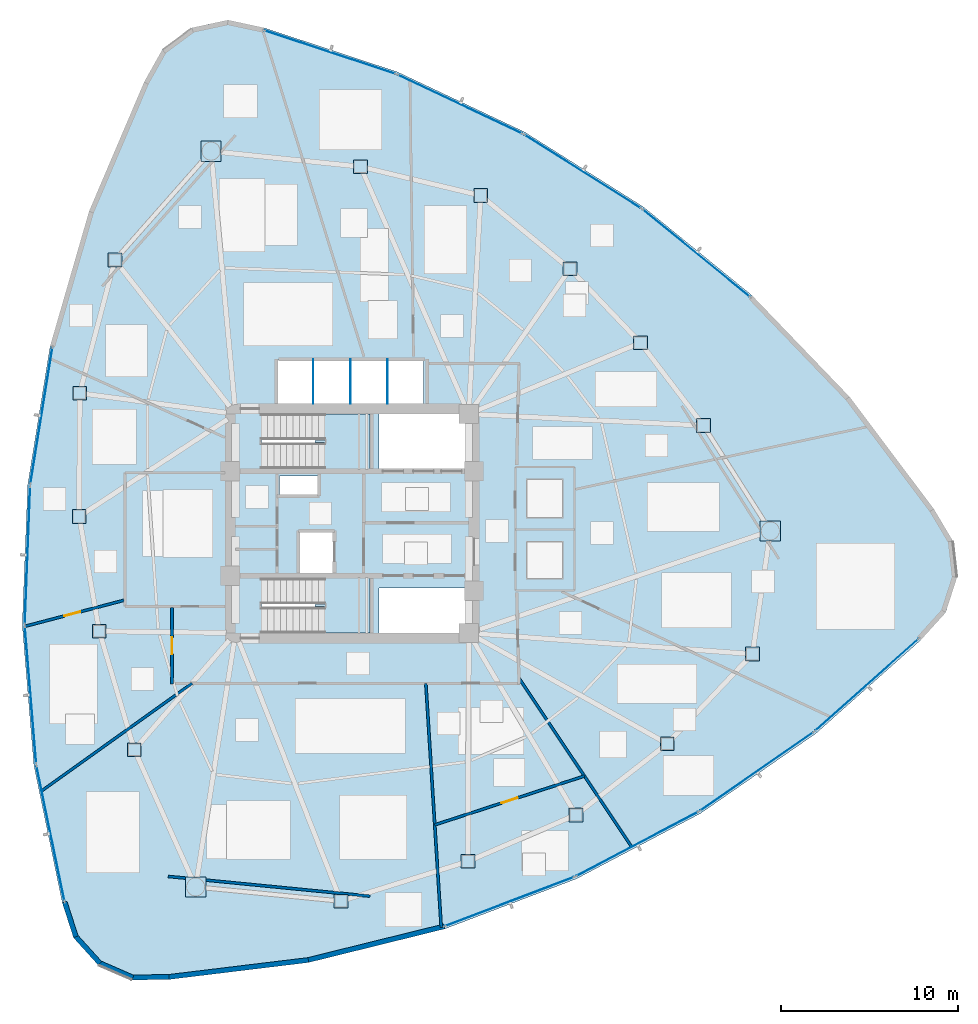
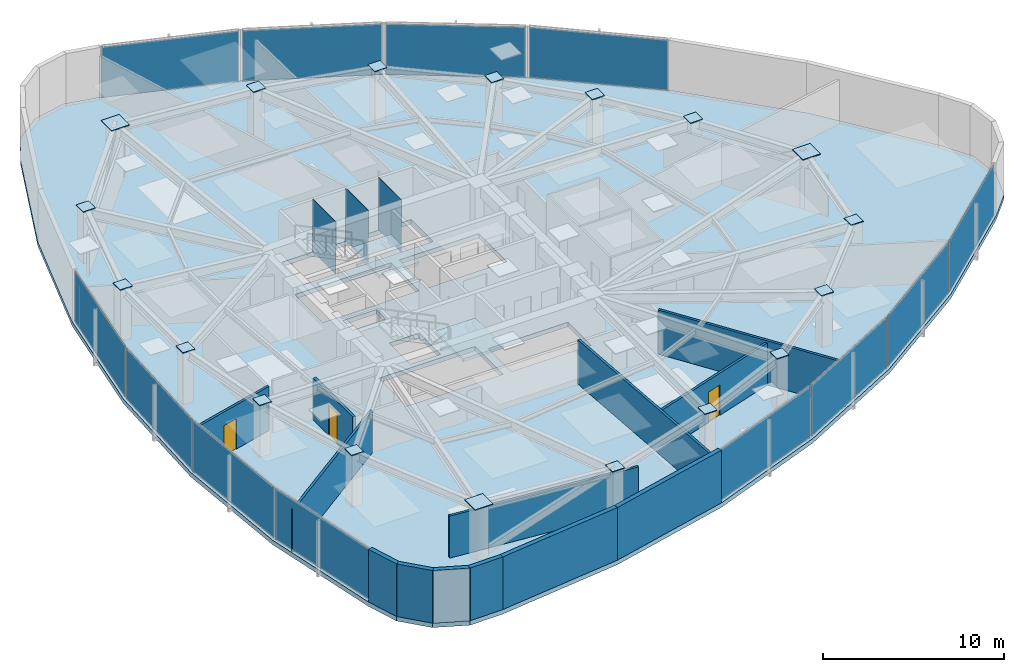
# One storey, part 10 of 17: 33 plates, 13 walls, 3 doors, 3 slabs, 3 openings, 14 elements without a shape of their own.
"""IFC4 building model written with IfcOpenShell, lengths in metres."""

from ifc_helpers import new_model, si_unit, direction, frame, frame_2d, origin, origin_2d, place, context, subcontext, project, spatial, polyline, rectangle, outline, extrude, source, transform, mapped, material, layer, layer_set, type_object, type_shapes, element, fill, aggregate, save


model = new_model("IFC4")

# Units and contexts
model_context = context("Model", 3, precision=1e-05, world=origin(), true_north=direction((0.0, 1.0)))
body_context = subcontext(model_context, "Body", "Model", "MODEL_VIEW")
ifc_project = project(units=[si_unit("LENGTHUNIT", "METRE"), si_unit("AREAUNIT", "SQUARE_METRE"), si_unit("VOLUMEUNIT", "CUBIC_METRE"), si_unit("PLANEANGLEUNIT", "RADIAN"), si_unit("MASSUNIT", "GRAM", prefix="KILO")], contexts=[model_context])

# Site, building, storey
site_placement = place(None, origin())
site = spatial("IfcSite", under=ifc_project, at=site_placement, CompositionType="ELEMENT")
building_placement = place(site_placement, origin())
building = spatial("IfcBuilding", under=site, at=building_placement, Name="Tavelor Broadcast Tower", CompositionType="ELEMENT")
storey_placement = place(building_placement, frame((0.0, 0.0, 134.85009765625)))
storey = spatial("IfcBuildingStorey", under=building, at=storey_placement, Name="L31", CompositionType="ELEMENT", Elevation=134.85009765625)

# Stair, slab
ifc_material_1 = material(Name="Concrete C40/50", Category="concrete")
stair_type = type_object("IfcStairType", Name="Reinforced Concrete Protected Dogleg Stair 1450 mm", PredefinedType="HALF_TURN_STAIR", material=ifc_material_1)
stair_1_placement = place(storey_placement, origin())
stair_1 = element("IfcStair", 1, at=stair_1_placement, inside=storey, type_object=stair_type, Name="L31 Protected Core Exit Stair ST1", PredefinedType="HALF_TURN_STAIR")
ifc_layer_1 = layer(ifc_material_1, 0.199951171875)
ifc_layer_set_1 = layer_set([ifc_layer_1], Name="Concrete C40/50")
slab_type_1 = type_object("IfcSlabType", Name="Reinforced Concrete Stair Half-Landing Slab 200 mm", PredefinedType="LANDING", material=ifc_layer_set_1)
slab_1_placement = place(storey_placement, frame((0.0, 0.0, 1.724853515625)))
slab_1 = element("IfcSlab", 2, at=slab_1_placement, type_object=slab_type_1, Name="ST1 landing 1", PredefinedType="LANDING", context=body_context, shape_type="SweptSolid", body=[
    extrude(outline(polyline([(48.445068359375, 49.590087890625), (48.445068359375, 48.094970703125), (51.0048828125, 48.094970703125), (51.0048828125, 51.205078125), (48.445068359375, 51.205078125), (48.445068359375, 49.7099609375), (47.905029296875, 49.7099609375), (47.905029296875, 49.590087890625), (48.445068359375, 49.590087890625)])), origin(), (0.0, 0.0, 1.0), 0.199951171875),
])
aggregate(stair_1, [slab_1])

stair_2_placement = place(storey_placement, origin())
stair_2 = element("IfcStair", 3, at=stair_2_placement, inside=storey, type_object=stair_type, Name="L31 Protected Core Exit Stair ST2", PredefinedType="HALF_TURN_STAIR")
slab_2_placement = place(storey_placement, frame((0.0, 0.0, 1.724853515625)))
slab_2 = element("IfcSlab", 4, at=slab_2_placement, type_object=slab_type_1, Name="ST2 landing 1", PredefinedType="LANDING", context=body_context, shape_type="SweptSolid", body=[
    extrude(outline(polyline([(48.445068359375, 40.2900390625), (48.445068359375, 38.794921875), (51.0048828125, 38.794921875), (51.0048828125, 41.905029296875), (48.445068359375, 41.905029296875), (48.445068359375, 40.409912109375), (47.905029296875, 40.409912109375), (47.905029296875, 40.2900390625), (48.445068359375, 40.2900390625)])), origin(), (0.0, 0.0, 1.0), 0.199951171875),
])
aggregate(stair_2, [slab_2])

# Slab
ifc_layer_2 = layer(ifc_material_1, 0.300048828125)
ifc_layer_set_2 = layer_set([ifc_layer_2], Name="Concrete C40/50")
slab_type_2 = type_object("IfcSlabType", Name="Tower Composite Floor Slab 300 mm", PredefinedType="FLOOR", material=ifc_layer_set_2)
slab_3_placement = place(storey_placement, frame((0.0, 0.0, -0.300048828125)))
element("IfcSlab", 5, at=slab_3_placement, inside=storey, type_object=slab_type_2, Name="L31 Structural Floor Slab", PredefinedType="FLOOR", context=body_context, shape_type="SweptSolid", body=[
    extrude(outline(polyline([(45.01318359375, 73.065673828125), (42.970458984375, 73.50537109375), (40.927978515625, 73.065673828125), (39.2470703125, 71.82421875), (38.226318359375, 70.001220703125), (35.10888671875, 62.684326171875), (32.89990234375, 55.044189453125), (31.631591796875, 47.192626953125), (31.322998046875, 39.24560546875), (31.978271484375, 31.3193359375), (33.587890625, 23.53076171875), (34.228271484375, 21.5419921875), (35.630615234375, 19.992919921875), (37.5458984375, 19.157958984375), (39.63525390625, 19.185302734375), (47.530517578125, 20.14404296875), (55.251708984375, 22.051025390625), (62.685302734375, 24.87841796875), (69.721923828125, 28.584716796875), (76.258544921875, 33.115234375), (82.198974609375, 38.403564453125), (83.601318359375, 39.95263671875), (84.24169921875, 41.941650390625), (84.0068359375, 44.017822265625), (82.938720703125, 45.8134765625), (78.16064453125, 52.171630859375), (72.6484375, 57.90478515625), (66.483154296875, 62.9287109375), (59.7548828125, 67.169677734375), (52.56298828125, 70.565185546875), (45.01318359375, 73.065673828125)]), holes=[polyline([(56.60009765625, 41.35009765625), (56.60009765625, 38.800048828125), (51.52001953125, 38.800048828125), (51.52001953125, 41.35009765625), (56.60009765625, 41.35009765625)]), polyline([(50.99609375, 38.803955078125), (44.85400390625, 38.803955078125), (44.85400390625, 41.89599609375), (50.99609375, 41.89599609375), (50.99609375, 38.803955078125)]), polyline([(47.050048828125, 42.199951171875), (47.050048828125, 44.550048828125), (48.949951171875, 44.550048828125), (48.949951171875, 42.199951171875), (47.050048828125, 42.199951171875)]), polyline([(48.050048828125, 46.64990234375), (45.89990234375, 46.64990234375), (45.89990234375, 47.699951171875), (48.050048828125, 47.699951171875), (48.050048828125, 46.64990234375)]), polyline([(50.99609375, 48.10400390625), (44.85400390625, 48.10400390625), (44.85400390625, 51.196044921875), (50.99609375, 51.196044921875), (50.99609375, 48.10400390625)]), polyline([(56.60009765625, 48.10009765625), (51.52001953125, 48.10009765625), (51.52001953125, 51.199951171875), (56.60009765625, 51.199951171875), (56.60009765625, 48.10009765625)]), polyline([(54.050048828125, 51.800048828125), (45.800048828125, 51.800048828125), (45.800048828125, 54.25), (54.050048828125, 54.25), (54.050048828125, 51.800048828125)])]), origin(), (0.0, 0.0, 1.0), 0.300048828125),
])

# Plates
ifc_material_2 = material(Name="Steel S460", Category="steel")
ifc_layer_3 = layer(ifc_material_2, 0.050048828125)
ifc_layer_set_3 = layer_set([ifc_layer_3], Name="Steel S460")
plate_type_1 = type_object("IfcPlateType", Name="Tube Hollow-End Cap Plate KN05 700x700x50", PredefinedType="USERDEFINED", material=ifc_layer_set_3)
shared_shape_1 = source(origin(), body_context, "Body", "SweptSolid", [
    extrude(rectangle(XDim=1.14697265625, YDim=1.14697265625, at=origin_2d()), origin(), (0.0, 0.0, 1.0), 0.054931640625),
])
for number, where, z_axis, x_axis, name in (
    (6, (42.01123046875, 66.080078125, 3.5224609375), (0.0, 0.0, 1.0), (1.0, 0.0, 0.0), "L31 Hollow End Cap Plate KN05 #891"),
    (7, (41.138671875, 24.423828125, 3.5224609375), (0.0, 0.0, 1.0), (1.0, 0.0, 0.0), "L31 Hollow End Cap Plate KN05 #897"),
    (8, (73.676025390625, 44.57958984375, 3.5224609375), (0.0, 0.0, 1.0), (1.0, 0.0, 0.0), "L31 Hollow End Cap Plate KN05 #903"),
):
    element("IfcPlate", number, at=place(storey_placement, frame(where, z_axis=z_axis, x_axis=x_axis)), inside=storey, type_object=plate_type_1, Name=name, ObjectType="CAP PLATE", PredefinedType="USERDEFINED", context=body_context, shape_type="MappedRepresentation", body=[
        mapped(shared_shape_1, transform((0.0, 0.0, 0.0), scale=1.0)),
    ])
shared_shape_2 = source(origin(), body_context, "Body", "SweptSolid", [
    extrude(rectangle(XDim=0.780029296875, YDim=0.780029296875, at=origin_2d()), origin(), (0.0, 0.0, 1.0), 0.054931640625),
])
type_shapes(plate_type_1, [shared_shape_1, shared_shape_2])
for number, where, z_axis, x_axis, name in (
    (9, (36.567626953125, 59.91064453125, 3.5224609375), (0.0, 0.0, 1.0), (1.0, 0.0, 0.0), "L31 Hollow End Cap Plate KN05 #892"),
    (10, (34.5751953125, 52.37939453125, 3.5224609375), (0.0, 0.0, 1.0), (1.0, 0.0, 0.0), "L31 Hollow End Cap Plate KN05 #893"),
    (11, (34.54638671875, 45.399169921875, 3.5224609375), (0.0, 0.0, 1.0), (1.0, 0.0, 0.0), "L31 Hollow End Cap Plate KN05 #894"),
    (12, (35.680908203125, 38.89990234375, 3.5224609375), (0.0, 0.0, 1.0), (1.0, 0.0, 0.0), "L31 Hollow End Cap Plate KN05 #895"),
    (13, (37.668212890625, 32.1904296875, 3.5224609375), (0.0, 0.0, 1.0), (1.0, 0.0, 0.0), "L31 Hollow End Cap Plate KN05 #896"),
    (14, (49.366455078125, 23.618896484375, 3.5224609375), (0.0, 0.0, 1.0), (1.0, 0.0, 0.0), "L31 Hollow End Cap Plate KN05 #898"),
    (15, (56.56103515625, 25.872802734375, 3.5224609375), (0.0, 0.0, 1.0), (1.0, 0.0, 0.0), "L31 Hollow End Cap Plate KN05 #899"),
    (16, (62.669189453125, 28.503173828125, 3.5224609375), (0.0, 0.0, 1.0), (1.0, 0.0, 0.0), "L31 Hollow End Cap Plate KN05 #900"),
    (17, (67.84228515625, 32.53173828125, 3.5224609375), (0.0, 0.0, 1.0), (1.0, 0.0, 0.0), "L31 Hollow End Cap Plate KN05 #901"),
    (18, (72.6591796875, 37.607421875, 3.5224609375), (0.0, 0.0, 1.0), (1.0, 0.0, 0.0), "L31 Hollow End Cap Plate KN05 #902"),
    (19, (69.885986328125, 50.544189453125, 3.5224609375), (0.0, 0.0, 1.0), (1.0, 0.0, 0.0), "L31 Hollow End Cap Plate KN05 #904"),
    (20, (66.322021484375, 55.228759765625, 3.5224609375), (0.0, 0.0, 1.0), (1.0, 0.0, 0.0), "L31 Hollow End Cap Plate KN05 #905"),
    (21, (62.330810546875, 59.416259765625, 3.5224609375), (0.0, 0.0, 1.0), (1.0, 0.0, 0.0), "L31 Hollow End Cap Plate KN05 #906"),
    (22, (57.276611328125, 63.568359375, 3.5224609375), (0.0, 0.0, 1.0), (1.0, 0.0, 0.0), "L31 Hollow End Cap Plate KN05 #907"),
    (23, (50.472412109375, 65.2021484375, 3.5224609375), (0.0, 0.0, 1.0), (1.0, 0.0, 0.0), "L31 Hollow End Cap Plate KN05 #908"),
):
    element("IfcPlate", number, at=place(storey_placement, frame(where, z_axis=z_axis, x_axis=x_axis)), inside=storey, type_object=plate_type_1, Name=name, ObjectType="CAP PLATE", PredefinedType="USERDEFINED", context=body_context, shape_type="MappedRepresentation", body=[
        mapped(shared_shape_2, transform((0.0, 0.0, 0.0), scale=1.0)),
    ])
ifc_material_3 = material(Name="Steel S355", Category="steel")
ifc_layer_4 = layer(ifc_material_3, 0.011962890625)
ifc_layer_set_4 = layer_set([ifc_layer_4], Name="Steel S355")
plate_type_2 = type_object("IfcPlateType", Name="Hoistway Steel Separator Screen 12 mm", PredefinedType="SHEET", material=ifc_layer_set_4)
shared_shape_3 = source(origin(), body_context, "Body", "SweptSolid", [
    extrude(rectangle(XDim=0.02001953125, YDim=2.52001953125, at=origin_2d()), origin(), (0.0, 0.0, 1.0), 3.550048828125),
])
type_shapes(plate_type_2, [shared_shape_3])
for number, where, z_axis, x_axis, name in (
    (24, (47.800048828125, 53.0400390625, 0.0), (0.0, 0.0, 1.0), (1.0, 0.0, 0.0), "L31 High-Rise Hoistway Separator Screen 1"),
    (25, (49.89990234375, 53.0400390625, 0.0), (0.0, 0.0, 1.0), (1.0, 0.0, 0.0), "L31 High-Rise Hoistway Separator Screen 2"),
    (26, (52.0, 53.0400390625, 0.0), (0.0, 0.0, 1.0), (1.0, 0.0, 0.0), "L31 High-Rise Hoistway Separator Screen 3"),
):
    element("IfcPlate", number, at=place(storey_placement, frame(where, z_axis=z_axis, x_axis=x_axis)), inside=storey, type_object=plate_type_2, Name=name, PredefinedType="SHEET", context=body_context, shape_type="MappedRepresentation", body=[
        mapped(shared_shape_3, transform((0.0, 0.0, 0.0), scale=1.0)),
    ])

# Curtain wall, plate
ifc_material_4 = material(Name="Architectural Anodized Aluminium", Category="aluminium")
ifc_layer_5 = layer(ifc_material_4, 0.18994140625)
ifc_layer_set_5 = layer_set([ifc_layer_5], Name="Architectural Anodized Aluminium")
curtain_wall_type = type_object("IfcCurtainWallType", Name="Tower Mid-Zone Acoustic Curtain Wall CW03", PredefinedType="NOTDEFINED", material=ifc_layer_set_5)
curtain_wall_1_placement = place(storey_placement, origin())
curtain_wall_1 = element("IfcCurtainWall", 27, at=curtain_wall_1_placement, inside=storey, type_object=curtain_wall_type, Name="L31 Curtain Wall CW03 Run 313", PredefinedType="NOTDEFINED")
ifc_material_5 = material(Name="Solar Control Double Glazing 30 mm", Category="glass")
ifc_layer_6 = layer(ifc_material_5, 0.030029296875)
ifc_layer_set_6 = layer_set([ifc_layer_6], Name="Solar Control Double Glazing 30 mm")
plate_type_3 = type_object("IfcPlateType", Name="CW03 Insulated Vision Glazing Panel 30 mm", PredefinedType="CURTAIN_PANEL", material=ifc_layer_set_6)
shared_shape_4 = source(origin(), body_context, "Body", "SweptSolid", [
    extrude(rectangle(XDim=7.78515625, YDim=0.030029296875, at=origin_2d()), origin(), (0.0, 0.0, 1.0), 3.4140625),
])
plate_1_placement = place(storey_placement, frame((32.4052734375, 51.103515625, 0.06787109375), z_axis=(0.0, 0.0, 1.0), x_axis=(-0.159459072455, -0.98720454021, 0.0)))
plate_1 = element("IfcPlate", 28, at=plate_1_placement, type_object=plate_type_3, Name="CW03 panel 1.1", PredefinedType="CURTAIN_PANEL", context=body_context, shape_type="MappedRepresentation", body=[
    mapped(shared_shape_4, transform((0.0, 0.0, 0.0), scale=1.0)),
])
aggregate(curtain_wall_1, [plate_1])

curtain_wall_2_placement = place(storey_placement, origin())
curtain_wall_2 = element("IfcCurtainWall", 29, at=curtain_wall_2_placement, inside=storey, type_object=curtain_wall_type, Name="L31 Curtain Wall CW03 Run 317", PredefinedType="NOTDEFINED")
plate_2_placement = place(storey_placement, frame((58.91162109375, 23.593017578125, 0.06787109375), z_axis=(0.0, 0.0, 1.0), x_axis=(0.934674797262, 0.355503900631, 0.0)))
plate_2 = element("IfcPlate", 30, at=plate_2_placement, type_object=plate_type_3, Name="CW03 panel 1.1", PredefinedType="CURTAIN_PANEL", context=body_context, shape_type="MappedRepresentation", body=[
    mapped(shared_shape_4, transform((0.0, 0.0, 0.0), scale=1.0)),
])
aggregate(curtain_wall_2, [plate_2])

curtain_wall_3_placement = place(storey_placement, origin())
curtain_wall_3 = element("IfcCurtainWall", 31, at=curtain_wall_3_placement, inside=storey, type_object=curtain_wall_type, Name="L31 Curtain Wall CW03 Run 321", PredefinedType="NOTDEFINED")
plate_3_placement = place(storey_placement, frame((69.483154296875, 60.303466796875, 0.06787109375), z_axis=(0.0, 0.0, 1.0), x_axis=(-0.775213462191, 0.631699365235, 0.0)))
plate_3 = element("IfcPlate", 32, at=plate_3_placement, type_object=plate_type_3, Name="CW03 panel 1.1", PredefinedType="CURTAIN_PANEL", context=body_context, shape_type="MappedRepresentation", body=[
    mapped(shared_shape_4, transform((0.0, 0.0, 0.0), scale=1.0)),
])
aggregate(curtain_wall_3, [plate_3])

curtain_wall_4_placement = place(storey_placement, origin())
curtain_wall_4 = element("IfcCurtainWall", 33, at=curtain_wall_4_placement, inside=storey, type_object=curtain_wall_type, Name="L31 Curtain Wall CW03 Run 314", PredefinedType="NOTDEFINED")
shared_shape_5 = source(origin(), body_context, "Body", "SweptSolid", [
    extrude(rectangle(XDim=7.770263671875, YDim=0.030029296875, at=origin_2d()), origin(), (0.0, 0.0, 1.0), 3.4140625),
])
plate_4_placement = place(storey_placement, frame((31.6171875, 43.213623046875, 0.06787109375), z_axis=(0.0, 0.0, 1.0), x_axis=(-0.038817348253, -0.999246322723, 0.0)))
plate_4 = element("IfcPlate", 34, at=plate_4_placement, type_object=plate_type_3, Name="CW03 panel 1.1", PredefinedType="CURTAIN_PANEL", context=body_context, shape_type="MappedRepresentation", body=[
    mapped(shared_shape_5, transform((0.0, 0.0, 0.0), scale=1.0)),
])
aggregate(curtain_wall_4, [plate_4])

curtain_wall_5_placement = place(storey_placement, origin())
curtain_wall_5 = element("IfcCurtainWall", 35, at=curtain_wall_5_placement, inside=storey, type_object=curtain_wall_type, Name="L31 Curtain Wall CW03 Run 318", PredefinedType="NOTDEFINED")
plate_5_placement = place(storey_placement, frame((66.138427734375, 26.85546875, 0.06787109375), z_axis=(0.0, 0.0, 1.0), x_axis=(0.884776607901, 0.466015401152, 0.0)))
plate_5 = element("IfcPlate", 36, at=plate_5_placement, type_object=plate_type_3, Name="CW03 panel 1.1", PredefinedType="CURTAIN_PANEL", context=body_context, shape_type="MappedRepresentation", body=[
    mapped(shared_shape_5, transform((0.0, 0.0, 0.0), scale=1.0)),
])
aggregate(curtain_wall_5, [plate_5])

curtain_wall_6_placement = place(storey_placement, origin())
curtain_wall_6 = element("IfcCurtainWall", 37, at=curtain_wall_6_placement, inside=storey, type_object=curtain_wall_type, Name="L31 Curtain Wall CW03 Run 322", PredefinedType="NOTDEFINED")
plate_6_placement = place(storey_placement, frame((63.04443359375, 64.9306640625, 0.06787109375), z_axis=(0.0, 0.0, 1.0), x_axis=(-0.845965542519, 0.533237565135, 0.0)))
plate_6 = element("IfcPlate", 38, at=plate_6_placement, type_object=plate_type_3, Name="CW03 panel 1.1", PredefinedType="CURTAIN_PANEL", context=body_context, shape_type="MappedRepresentation", body=[
    mapped(shared_shape_5, transform((0.0, 0.0, 0.0), scale=1.0)),
])
aggregate(curtain_wall_6, [plate_6])

curtain_wall_7_placement = place(storey_placement, origin())
curtain_wall_7 = element("IfcCurtainWall", 39, at=curtain_wall_7_placement, inside=storey, type_object=curtain_wall_type, Name="L31 Curtain Wall CW03 Run 323", PredefinedType="NOTDEFINED")
plate_7_placement = place(storey_placement, frame((56.099365234375, 68.740966796875, 0.06787109375), z_axis=(0.0, 0.0, 1.0), x_axis=(-0.904273335243, 0.426954019971, 0.0)))
plate_7 = element("IfcPlate", 40, at=plate_7_placement, type_object=plate_type_3, Name="CW03 panel 1.1", PredefinedType="CURTAIN_PANEL", context=body_context, shape_type="MappedRepresentation", body=[
    mapped(shared_shape_5, transform((0.0, 0.0, 0.0), scale=1.0)),
])
aggregate(curtain_wall_7, [plate_7])

curtain_wall_8_placement = place(storey_placement, origin())
curtain_wall_8 = element("IfcCurtainWall", 41, at=curtain_wall_8_placement, inside=storey, type_object=curtain_wall_type, Name="L31 Curtain Wall CW03 Run 315", PredefinedType="NOTDEFINED")
shared_shape_6 = source(origin(), body_context, "Body", "SweptSolid", [
    extrude(rectangle(XDim=7.77001953125, YDim=0.030029296875, at=origin_2d()), origin(), (0.0, 0.0, 1.0), 3.4140625),
])
plate_8_placement = place(storey_placement, frame((31.7900390625, 35.2939453125, 0.06787109375), z_axis=(0.0, 0.0, 1.0), x_axis=(0.082379713791, -0.996601014828, 0.0)))
plate_8 = element("IfcPlate", 42, at=plate_8_placement, type_object=plate_type_3, Name="CW03 panel 1.1", PredefinedType="CURTAIN_PANEL", context=body_context, shape_type="MappedRepresentation", body=[
    mapped(shared_shape_6, transform((0.0, 0.0, 0.0), scale=1.0)),
])
aggregate(curtain_wall_8, [plate_8])

curtain_wall_9_placement = place(storey_placement, origin())
curtain_wall_9 = element("IfcCurtainWall", 43, at=curtain_wall_9_placement, inside=storey, type_object=curtain_wall_type, Name="L31 Curtain Wall CW03 Run 319", PredefinedType="NOTDEFINED")
plate_9_placement = place(storey_placement, frame((72.91064453125, 30.965087890625, 0.06787109375), z_axis=(0.0, 0.0, 1.0), x_axis=(0.821886991689, 0.56965057087, 0.0)))
plate_9 = element("IfcPlate", 44, at=plate_9_placement, type_object=plate_type_3, Name="CW03 panel 1.1", PredefinedType="CURTAIN_PANEL", context=body_context, shape_type="MappedRepresentation", body=[
    mapped(shared_shape_6, transform((0.0, 0.0, 0.0), scale=1.0)),
])
aggregate(curtain_wall_9, [plate_9])

curtain_wall_10_placement = place(storey_placement, origin())
curtain_wall_10 = element("IfcCurtainWall", 45, at=curtain_wall_10_placement, inside=storey, type_object=curtain_wall_type, Name="L31 Curtain Wall CW03 Run 316", PredefinedType="NOTDEFINED")
shared_shape_7 = source(origin(), body_context, "Body", "SweptSolid", [
    extrude(rectangle(XDim=7.7861328125, YDim=0.030029296875, at=origin_2d()), origin(), (0.0, 0.0, 1.0), 3.4140625),
])
type_shapes(plate_type_3, [shared_shape_4, shared_shape_5, shared_shape_6, shared_shape_7])
plate_10_placement = place(storey_placement, frame((32.921630859375, 27.445556640625, 0.06787109375), z_axis=(0.0, 0.0, 1.0), x_axis=(0.202382287884, -0.979306596297, 0.0)))
plate_10 = element("IfcPlate", 46, at=plate_10_placement, type_object=plate_type_3, Name="CW03 panel 1.1", PredefinedType="CURTAIN_PANEL", context=body_context, shape_type="MappedRepresentation", body=[
    mapped(shared_shape_7, transform((0.0, 0.0, 0.0), scale=1.0)),
])
aggregate(curtain_wall_10, [plate_10])

curtain_wall_11_placement = place(storey_placement, origin())
curtain_wall_11 = element("IfcCurtainWall", 47, at=curtain_wall_11_placement, inside=storey, type_object=curtain_wall_type, Name="L31 Curtain Wall CW03 Run 320", PredefinedType="NOTDEFINED")
plate_11_placement = place(storey_placement, frame((79.1416015625, 35.869140625, 0.06787109375), z_axis=(0.0, 0.0, 1.0), x_axis=(0.746922309327, 0.664911320275, 0.0)))
plate_11 = element("IfcPlate", 48, at=plate_11_placement, type_object=plate_type_3, Name="CW03 panel 1.1", PredefinedType="CURTAIN_PANEL", context=body_context, shape_type="MappedRepresentation", body=[
    mapped(shared_shape_7, transform((0.0, 0.0, 0.0), scale=1.0)),
])
aggregate(curtain_wall_11, [plate_11])

curtain_wall_12_placement = place(storey_placement, origin())
curtain_wall_12 = element("IfcCurtainWall", 49, at=curtain_wall_12_placement, inside=storey, type_object=curtain_wall_type, Name="L31 Curtain Wall CW03 Run 324", PredefinedType="NOTDEFINED")
plate_12_placement = place(storey_placement, frame((48.736572265625, 71.68505859375, 0.06787109375), z_axis=(0.0, 0.0, 1.0), x_axis=(-0.949294987363, 0.314386747444, 0.0)))
plate_12 = element("IfcPlate", 50, at=plate_12_placement, type_object=plate_type_3, Name="CW03 panel 1.1", PredefinedType="CURTAIN_PANEL", context=body_context, shape_type="MappedRepresentation", body=[
    mapped(shared_shape_7, transform((0.0, 0.0, 0.0), scale=1.0)),
])
aggregate(curtain_wall_12, [plate_12])

# Wall, opening, door
ifc_material_6 = material(Name="Calcium Silicate Fire Board 180 mm", Category="gypsum")
ifc_layer_7 = layer(ifc_material_6, 0.179931640625)
ifc_layer_set_7 = layer_set([ifc_layer_7], Name="Calcium Silicate Fire Board 180 mm")
wall_type_1 = type_object("IfcWallType", Name="Fire-Rated Corridor Partition Wall 180 mm", PredefinedType="PARTITIONING", material=ifc_layer_set_7)
wall_1_placement = place(storey_placement, frame((39.800048828125, 35.89990234375, 0.0), z_axis=(0.0, 0.0, 1.0), x_axis=(0.0, 1.0, 0.0)))
wall_1 = element("IfcWall", 51, at=wall_1_placement, inside=storey, type_object=wall_type_1, Name="L31 Corridor Compartment Wall 05", PredefinedType="PARTITIONING", context=body_context, shape_type="SweptSolid", body=[
    extrude(rectangle(XDim=4.35009765625, YDim=0.179931640625, at=frame_2d((2.175048828125, 0.0))), origin(), (0.0, 0.0, 1.0), 2.8349609375),
])
opening_1_placement = place(wall_1_placement, frame((1.699951171875, 0.0, 0.0)))
opening_1 = element("IfcOpeningElement", 52, at=opening_1_placement, cuts=wall_1, Name="Opening DR18", PredefinedType="OPENING", context=body_context, shape_type="SweptSolid", body=[
    extrude(rectangle(XDim=0.949951171875, YDim=2.050048828125, at=frame_2d((0.47509765625, 1.02490234375))), frame((0.0, 0.10009765625, 0.0), z_axis=(0.0, -1.0, 0.0), x_axis=(1.0, 0.0, 0.0)), (0.0, 0.0, 1.0), 0.199951171875),
])
ifc_material_7 = material(Name="Timber Solid Core Hardwood", Category="wood")
door_type_1 = type_object("IfcDoorType", Name="Corridor Rated Compartment Door 950x2050", OperationType="NOTDEFINED", PredefinedType="DOOR", material=ifc_material_7)
door_1_placement = place(opening_1_placement, origin())
door_1 = element("IfcDoor", 53, at=door_1_placement, inside=storey, type_object=door_type_1, Name="L31 Editorial Huddle Room Door R3", OperationType="SINGLE_SWING_LEFT", OverallHeight=2.050048828125, OverallWidth=0.949951171875, PredefinedType="DOOR", context=body_context, shape_type="SweptSolid", body=[
    extrude(rectangle(XDim=0.949951171875, YDim=2.050048828125, at=frame_2d((0.47509765625, 1.02490234375))), frame((0.0, 0.02490234375, 0.0), z_axis=(0.0, -1.0, 0.0), x_axis=(1.0, 0.0, 0.0)), (0.0, 0.0, 1.0), 0.050048828125),
])
fill(opening_1, door_1)

# Walls
ifc_material_8 = material(Name="Precast Concrete C40/50", Category="concrete")
ifc_layer_8 = layer(ifc_material_8, 0.280029296875)
ifc_layer_set_8 = layer_set([ifc_layer_8], Name="Precast Concrete C40/50")
wall_type_2 = type_object("IfcWallType", Name="Insulated Precast Terracotta Facade Wall 280 mm", PredefinedType="STANDARD", material=ifc_layer_set_8)
wall_2_placement = place(storey_placement, frame((33.72216796875, 23.5703125, 0.0), z_axis=(0.0, 0.0, 1.0), x_axis=(0.306520503512, -0.951864055906, 0.0)))
element("IfcWall", 54, at=wall_2_placement, inside=storey, type_object=wall_type_2, Name="L31 Rounded Corner Structural Cladding Pier 11", PredefinedType="STANDARD", context=body_context, shape_type="SweptSolid", body=[
    extrude(rectangle(XDim=2.07080078125, YDim=0.280029296875, at=frame_2d((1.035400390625, 0.0))), origin(), (0.0, 0.0, 1.0), 3.5498046875),
])
for number, where, z_axis, x_axis, name in (
    (55, (34.34228515625, 21.62451171875, 0.0), (0.0, 0.0, 1.0), (0.671077849641, -0.741386889365, 0.0), "L31 Rounded Corner Structural Cladding Pier 12"),
    (56, (35.7001953125, 20.114990234375, 0.0), (0.0, 0.0, 1.0), (0.916711553764, -0.399549655482, 0.0), "L31 Rounded Corner Structural Cladding Pier 13"),
):
    element("IfcWall", number, at=place(storey_placement, frame(where, z_axis=z_axis, x_axis=x_axis)), inside=storey, type_object=wall_type_2, Name=name, PredefinedType="STANDARD", context=body_context, shape_type="SweptSolid", body=[
        extrude(rectangle(XDim=2.05908203125, YDim=0.280029296875, at=frame_2d((1.029541015625, 0.0))), origin(), (0.0, 0.0, 1.0), 3.5498046875),
    ])
wall_3_placement = place(storey_placement, frame((37.55908203125, 19.298095703125, 0.0), z_axis=(0.0, 0.0, 1.0), x_axis=(0.999913750351, 0.013133615579, 0.0)))
element("IfcWall", 57, at=wall_3_placement, inside=storey, type_object=wall_type_2, Name="L31 Rounded Corner Structural Cladding Pier 14", PredefinedType="STANDARD", context=body_context, shape_type="SweptSolid", body=[
    extrude(rectangle(XDim=2.08203125, YDim=0.280029296875, at=frame_2d((1.041015625, 0.0))), origin(), (0.0, 0.0, 1.0), 3.5498046875),
])
wall_4_placement = place(storey_placement, frame((39.61083984375, 19.323486328125, 0.0), z_axis=(0.0, 0.0, 1.0), x_axis=(0.992711024697, 0.120518967161, 0.0)))
element("IfcWall", 58, at=wall_4_placement, inside=storey, type_object=wall_type_2, Name="L31 Rounded Corner Structural Cladding Pier 15", PredefinedType="STANDARD", context=body_context, shape_type="SweptSolid", body=[
    extrude(rectangle(XDim=7.96728515625, YDim=0.280029296875, at=frame_2d((3.983642578125, 0.0))), origin(), (0.0, 0.0, 1.0), 3.5498046875),
])
wall_5_placement = place(storey_placement, frame((47.490478515625, 20.2783203125, 0.0), z_axis=(0.0, 0.0, 1.0), x_axis=(0.970828187231, 0.23977620999, 0.0)))
element("IfcWall", 59, at=wall_5_placement, inside=storey, type_object=wall_type_2, Name="L31 Rounded Corner Structural Cladding Pier 16", PredefinedType="STANDARD", context=body_context, shape_type="SweptSolid", body=[
    extrude(rectangle(XDim=7.955322265625, YDim=0.280029296875, at=frame_2d((3.9775390625, 0.0))), origin(), (0.0, 0.0, 1.0), 3.5498046875),
])
ifc_material_9 = material(Name="Gypsum Acoustic Plasterboard 150 mm", Category="gypsum")
ifc_layer_9 = layer(ifc_material_9, 0.14990234375)
ifc_layer_set_9 = layer_set([ifc_layer_9], Name="Gypsum Acoustic Plasterboard 150 mm")
wall_type_3 = type_object("IfcWallType", Name="Interior Acoustic Partition Wall 150 mm", PredefinedType="PARTITIONING", material=ifc_layer_set_9)
wall_6_placement = place(storey_placement, frame((39.589111328125, 25.017578125, 0.0), z_axis=(0.0, 0.0, 1.0), x_axis=(0.99524905582, -0.097361783517, 0.0)))
element("IfcWall", 60, at=wall_6_placement, inside=storey, type_object=wall_type_3, Name="L31 Corner Tube Brace Furring Wall 2", PredefinedType="PARTITIONING", context=body_context, shape_type="SweptSolid", body=[
    extrude(rectangle(XDim=11.467041015625, YDim=0.14990234375, at=frame_2d((5.7333984375, 0.0))), origin(), (0.0, 0.0, 1.0), 2.8349609375),
])

# Wall, opening, door
wall_7_placement = place(storey_placement, frame((37.080078125, 40.652587890625, 0.0), z_axis=(0.0, 0.0, 1.0), x_axis=(-0.967068551645, -0.254516043542, 0.0)))
wall_7 = element("IfcWall", 61, at=wall_7_placement, inside=storey, type_object=wall_type_3, Name="L31 Radial Compartment Wall 06", PredefinedType="PARTITIONING", context=body_context, shape_type="SweptSolid", body=[
    extrude(rectangle(XDim=5.81201171875, YDim=0.14990234375, at=frame_2d((2.906005859375, 0.0))), origin(), (0.0, 0.0, 1.0), 2.974853515625),
])
opening_2_placement = place(wall_7_placement, frame((2.550048828125, 0.0, 0.0)))
opening_2 = element("IfcOpeningElement", 62, at=opening_2_placement, cuts=wall_7, Name="Opening DR18", PredefinedType="OPENING", context=body_context, shape_type="SweptSolid", body=[
    extrude(rectangle(XDim=0.949951171875, YDim=2.050048828125, at=frame_2d((0.47509765625, 1.02490234375))), frame((0.0, 0.0849609375, 0.0), z_axis=(0.0, -1.0, 0.0), x_axis=(1.0, 0.0, 0.0)), (0.0, 0.0, 1.0), 0.169921875),
])
door_2_placement = place(opening_2_placement, origin())
door_2 = element("IfcDoor", 63, at=door_2_placement, inside=storey, type_object=door_type_1, Name="L31 Suite Connecting Door 4", OperationType="SINGLE_SWING_LEFT", OverallHeight=2.050048828125, OverallWidth=0.949951171875, PredefinedType="DOOR", context=body_context, shape_type="SweptSolid", body=[
    extrude(rectangle(XDim=0.949951171875, YDim=2.050048828125, at=frame_2d((0.47509765625, 1.02490234375))), frame((0.0, 0.02490234375, 0.0), z_axis=(0.0, -1.0, 0.0), x_axis=(1.0, 0.0, 0.0)), (0.0, 0.0, 1.0), 0.050048828125),
])
fill(opening_2, door_2)

# Walls
wall_8_placement = place(storey_placement, frame((40.93994140625, 35.949951171875, 0.0), z_axis=(0.0, 0.0, 1.0), x_axis=(-0.813520937446, -0.581535626026, 0.0)))
element("IfcWall", 64, at=wall_8_placement, inside=storey, type_object=wall_type_3, Name="L31 Radial Compartment Wall 07", PredefinedType="PARTITIONING", context=body_context, shape_type="SweptSolid", body=[
    extrude(rectangle(XDim=10.480712890625, YDim=0.14990234375, at=frame_2d((5.240234375, 0.0))), origin(), (0.0, 0.0, 1.0), 2.8349609375),
])
wall_9_placement = place(storey_placement, frame((54.171142578125, 35.949951171875, 0.0), z_axis=(0.0, 0.0, 1.0), x_axis=(0.062993106316, -0.998013962105, 0.0)))
element("IfcWall", 65, at=wall_9_placement, inside=storey, type_object=wall_type_3, Name="L31 Radial Compartment Wall 08", PredefinedType="PARTITIONING", context=body_context, shape_type="SweptSolid", body=[
    extrude(rectangle(XDim=13.843994140625, YDim=0.14990234375, at=frame_2d((6.921875, 0.0))), origin(), (0.0, 0.0, 1.0), 2.974853515625),
])
wall_10_placement = place(storey_placement, frame((59.442138671875, 36.250732421875, 0.0), z_axis=(0.0, 0.0, 1.0), x_axis=(0.555326844355, -0.831632187892, 0.0)))
element("IfcWall", 66, at=wall_10_placement, inside=storey, type_object=wall_type_3, Name="L31 Radial Compartment Wall 09", PredefinedType="PARTITIONING", context=body_context, shape_type="SweptSolid", body=[
    extrude(rectangle(XDim=11.505126953125, YDim=0.14990234375, at=frame_2d((5.75244140625, 0.0))), origin(), (0.0, 0.0, 1.0), 2.974853515625),
])

# Wall, opening, door
wall_11_placement = place(storey_placement, frame((54.677001953125, 27.9365234375, 0.0), z_axis=(0.0, 0.0, 1.0), x_axis=(0.950648345928, 0.310270402043, 0.0)))
wall_11 = element("IfcWall", 67, at=wall_11_placement, inside=storey, type_object=wall_type_3, Name="L31 Suite Chord Partition Wall 01", PredefinedType="PARTITIONING", context=body_context, shape_type="SweptSolid", body=[
    extrude(rectangle(XDim=8.910400390625, YDim=0.14990234375, at=frame_2d((4.455078125, 0.0))), origin(), (0.0, 0.0, 1.0), 2.8349609375),
])
opening_3_placement = place(wall_11_placement, frame((3.980224609375, 0.0, 0.0)))
opening_3 = element("IfcOpeningElement", 68, at=opening_3_placement, cuts=wall_11, Name="Opening DR23", PredefinedType="OPENING", context=body_context, shape_type="SweptSolid", body=[
    extrude(rectangle(XDim=0.949951171875, YDim=2.050048828125, at=frame_2d((0.47509765625, 1.02490234375))), frame((0.0, 0.0849609375, 0.0), z_axis=(0.0, -1.0, 0.0), x_axis=(1.0, 0.0, 0.0)), (0.0, 0.0, 1.0), 0.169921875),
])
door_type_2 = type_object("IfcDoorType", Name="Editorial Room Acoustic Door 950x2050", OperationType="NOTDEFINED", PredefinedType="DOOR", material=ifc_material_7)
door_3_placement = place(opening_3_placement, origin())
door_3 = element("IfcDoor", 69, at=door_3_placement, inside=storey, type_object=door_type_2, Name="L31 Outer Suite Partition Door 1", OperationType="SINGLE_SWING_RIGHT", OverallHeight=2.050048828125, OverallWidth=0.949951171875, PredefinedType="DOOR", context=body_context, shape_type="SweptSolid", body=[
    extrude(rectangle(XDim=0.949951171875, YDim=2.050048828125, at=frame_2d((0.47509765625, 1.02490234375))), frame((0.0, 0.02490234375, 0.0), z_axis=(0.0, -1.0, 0.0), x_axis=(1.0, 0.0, 0.0)), (0.0, 0.0, 1.0), 0.050048828125),
])
fill(opening_3, door_3)

save(model, "model.ifc")
